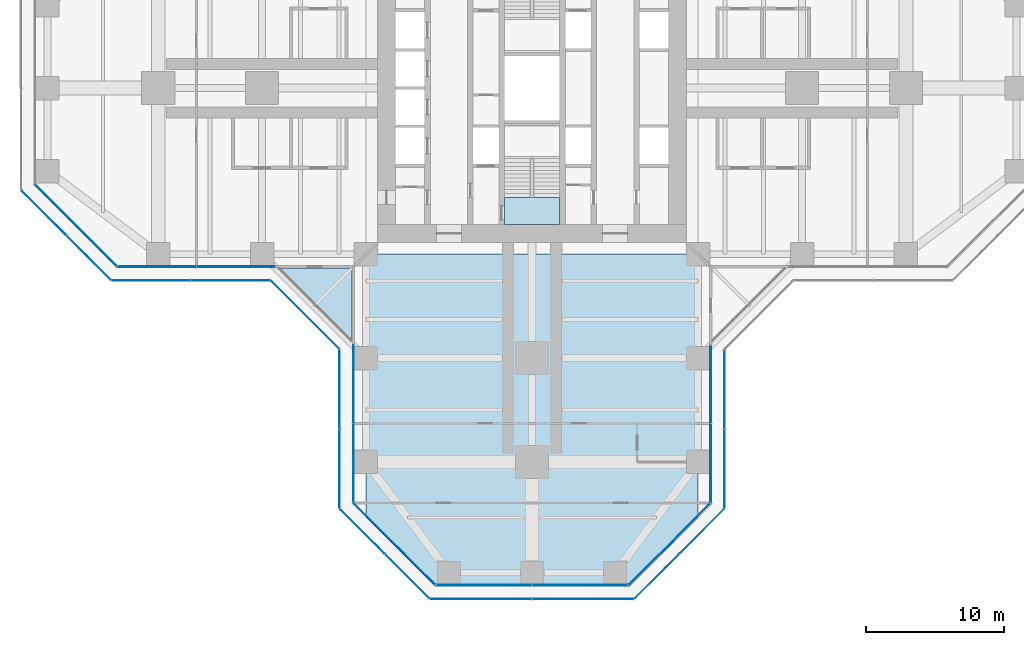
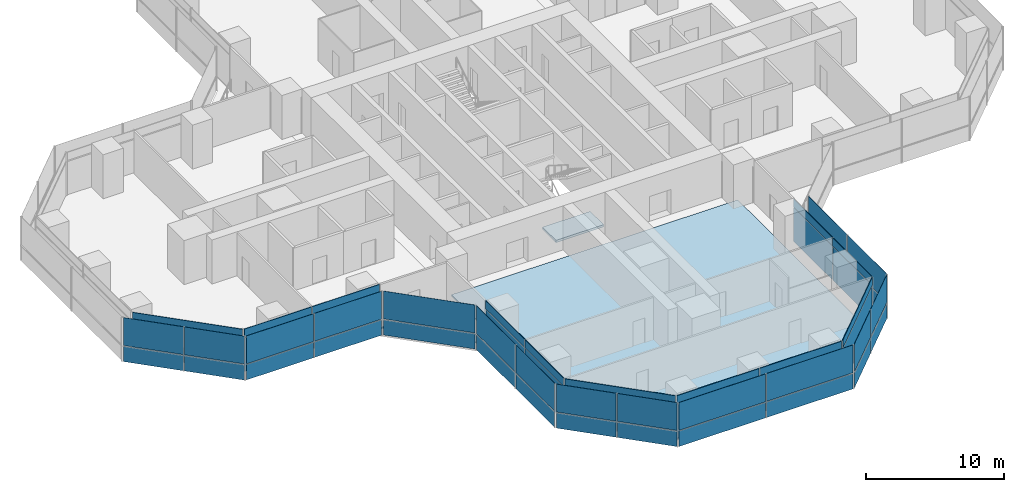
# One storey, part 14 of 22: 52 plates, 3 slabs, 16 elements without a shape of their own.
"""IFC4 building model written with IfcOpenShell, lengths in metres."""

from ifc_helpers import new_model, si_unit, direction, frame, origin, origin_2d, place, context, subcontext, project, spatial, polyline, rectangle, outline, extrude, material, layer, layer_set, type_object, element, aggregate, save


model = new_model("IFC4")

# Units and contexts
model_context = context("Model", 3, precision=1e-05, world=origin(), true_north=direction((0.0, 1.0)))
body_context = subcontext(model_context, "Body", "Model", "MODEL_VIEW")
ifc_project = project(units=[si_unit("LENGTHUNIT", "METRE"), si_unit("AREAUNIT", "SQUARE_METRE"), si_unit("VOLUMEUNIT", "CUBIC_METRE"), si_unit("PLANEANGLEUNIT", "RADIAN"), si_unit("MASSUNIT", "GRAM", prefix="KILO")], contexts=[model_context])

# Site, building, storey
site_placement = place(None, origin())
site = spatial("IfcSite", under=ifc_project, at=site_placement, CompositionType="ELEMENT")
building_placement = place(site_placement, origin())
building = spatial("IfcBuilding", under=site, at=building_placement, Name="Mizan Broadcast Tower", CompositionType="ELEMENT")
storey_placement = place(building_placement, frame((0.0, 0.0, 59.10009765625)))
storey = spatial("IfcBuildingStorey", under=building, at=storey_placement, Name="L11", CompositionType="ELEMENT", Elevation=59.10009765625)

# Slab
ifc_material_1 = material(Name="Concrete C32/40", Category="concrete")
ifc_layer_1 = layer(ifc_material_1, 0.1298828125)
ifc_layer_set_1 = layer_set([ifc_layer_1], Name="Concrete C32/40")
slab_type_1 = type_object("IfcSlabType", Name="COMPOSITE DECK SLAB 130", PredefinedType="FLOOR", material=ifc_layer_set_1)
slab_1_placement = place(storey_placement, frame((0.0, 0.0, -0.130126953125)))
element("IfcSlab", 1, at=slab_1_placement, inside=storey, type_object=slab_type_1, Name="Floor slab L11 south arm", PredefinedType="FLOOR", context=body_context, shape_type="SweptSolid", body=[
    extrude(outline(polyline([(7.0, -36.0), (12.0, -31.0), (12.0, -12.0), (-12.0, -12.0), (-12.0, -31.0), (-7.0, -36.0), (7.0, -36.0)])), origin(), (0.0, 0.0, 1.0), 0.130126953125),
])

# Curtain wall, plate
ifc_material_2 = material(Name="Aluminium framed glazing", Category="aluminium")
curtain_wall_type_1 = type_object("IfcCurtainWallType", Name="INNER SKIN LOW ZONE", PredefinedType="USERDEFINED", material=ifc_material_2)
curtain_wall_1_placement = place(storey_placement, origin())
curtain_wall_1 = element("IfcCurtainWall", 2, at=curtain_wall_1_placement, inside=storey, type_object=curtain_wall_type_1, Name="Inner skin low zone L11 W chamfer", ObjectType="INNER SKIN LOW ZONE", PredefinedType="USERDEFINED")
ifc_material_3 = material(Name="Double glazing, clear low-e", Category="glass")
ifc_layer_2 = layer(ifc_material_3, 0.028076171875)
ifc_layer_set_2 = layer_set([ifc_layer_2], Name="Double glazing, clear low-e")
plate_type_1 = type_object("IfcPlateType", Name="INNER SKIN GLAZING UNIT", PredefinedType="CURTAIN_PANEL", material=ifc_layer_set_2)
plate_1_placement = place(storey_placement, frame((-32.92919921875, -9.92919921875, 0.0), z_axis=(0.0, 0.0, 1.0), x_axis=(0.707106781187, -0.707106781187, 0.0)))
plate_1 = element("IfcPlate", 3, at=plate_1_placement, type_object=plate_type_1, Name="Inner skin low zone L11 W chamfer panel 1.1", PredefinedType="CURTAIN_PANEL", context=body_context, shape_type="SweptSolid", body=[
    extrude(rectangle(XDim=8.282470703125, YDim=0.028076171875, at=origin_2d()), origin(), (0.0, 0.0, 1.0), 3.0),
])

# Curtain wall, plates
curtain_wall_2_placement = place(storey_placement, origin())
curtain_wall_2 = element("IfcCurtainWall", 4, at=curtain_wall_2_placement, inside=storey, type_object=curtain_wall_type_1, Name="Inner skin low zone L11 W side", ObjectType="INNER SKIN LOW ZONE", PredefinedType="USERDEFINED")
plate_2_placement = place(storey_placement, frame((-27.078857421875, -12.89990234375, 0.0), z_axis=(0.0, 0.0, 1.0), x_axis=(1.0, 0.0, 0.0)))
plate_2 = element("IfcPlate", 5, at=plate_2_placement, type_object=plate_type_1, Name="Inner skin low zone L11 W side panel 1.1", PredefinedType="CURTAIN_PANEL", context=body_context, shape_type="SweptSolid", body=[
    extrude(rectangle(XDim=5.639404296875, YDim=0.028076171875, at=origin_2d()), origin(), (0.0, 0.0, 1.0), 3.0),
])
plate_3_placement = place(storey_placement, frame((-21.379638671875, -12.89990234375, 0.0), z_axis=(0.0, 0.0, 1.0), x_axis=(1.0, 0.0, 0.0)))
plate_3 = element("IfcPlate", 6, at=plate_3_placement, type_object=plate_type_1, Name="Inner skin low zone L11 W side panel 2.1", PredefinedType="CURTAIN_PANEL", context=body_context, shape_type="SweptSolid", body=[
    extrude(rectangle(XDim=5.639404296875, YDim=0.028076171875, at=origin_2d()), origin(), (0.0, 0.0, 1.0), 3.0),
])

curtain_wall_3_placement = place(storey_placement, origin())
curtain_wall_3 = element("IfcCurtainWall", 7, at=curtain_wall_3_placement, inside=storey, type_object=curtain_wall_type_1, Name="Inner skin low zone L11 S side", ObjectType="INNER SKIN LOW ZONE", PredefinedType="USERDEFINED")
plate_4_placement = place(storey_placement, frame((-12.89990234375, -21.379638671875, 0.0), z_axis=(0.0, 0.0, 1.0), x_axis=(0.0, -1.0, 0.0)))
plate_4 = element("IfcPlate", 8, at=plate_4_placement, type_object=plate_type_1, Name="Inner skin low zone L11 S side panel 1.1", PredefinedType="CURTAIN_PANEL", context=body_context, shape_type="SweptSolid", body=[
    extrude(rectangle(XDim=5.639404296875, YDim=0.028076171875, at=origin_2d()), origin(), (0.0, 0.0, 1.0), 3.0),
])
plate_5_placement = place(storey_placement, frame((-12.89990234375, -27.078857421875, 0.0), z_axis=(0.0, 0.0, 1.0), x_axis=(0.0, -1.0, 0.0)))
plate_5 = element("IfcPlate", 9, at=plate_5_placement, type_object=plate_type_1, Name="Inner skin low zone L11 S side panel 2.1", PredefinedType="CURTAIN_PANEL", context=body_context, shape_type="SweptSolid", body=[
    extrude(rectangle(XDim=5.639404296875, YDim=0.028076171875, at=origin_2d()), origin(), (0.0, 0.0, 1.0), 3.0),
])

# Curtain wall, plate
curtain_wall_4_placement = place(storey_placement, origin())
curtain_wall_4 = element("IfcCurtainWall", 10, at=curtain_wall_4_placement, inside=storey, type_object=curtain_wall_type_1, Name="Inner skin low zone L11 S chamfer", ObjectType="INNER SKIN LOW ZONE", PredefinedType="USERDEFINED")
plate_6_placement = place(storey_placement, frame((-9.92919921875, -32.92919921875, 0.0), z_axis=(0.0, 0.0, 1.0), x_axis=(0.707106781187, -0.707106781187, 0.0)))
plate_6 = element("IfcPlate", 11, at=plate_6_placement, type_object=plate_type_1, Name="Inner skin low zone L11 S chamfer panel 1.1", PredefinedType="CURTAIN_PANEL", context=body_context, shape_type="SweptSolid", body=[
    extrude(rectangle(XDim=8.282470703125, YDim=0.028076171875, at=origin_2d()), origin(), (0.0, 0.0, 1.0), 3.0),
])

# Curtain wall, plates
curtain_wall_5_placement = place(storey_placement, origin())
curtain_wall_5 = element("IfcCurtainWall", 12, at=curtain_wall_5_placement, inside=storey, type_object=curtain_wall_type_1, Name="Inner skin low zone L11 S end", ObjectType="INNER SKIN LOW ZONE", PredefinedType="USERDEFINED")
plate_7_placement = place(storey_placement, frame((-3.46435546875, -35.89990234375, 0.0), z_axis=(0.0, 0.0, 1.0), x_axis=(1.0, 0.0, 0.0)))
plate_7 = element("IfcPlate", 13, at=plate_7_placement, type_object=plate_type_1, Name="Inner skin low zone L11 S end panel 1.1", PredefinedType="CURTAIN_PANEL", context=body_context, shape_type="SweptSolid", body=[
    extrude(rectangle(XDim=6.86865234375, YDim=0.028076171875, at=origin_2d()), origin(), (0.0, 0.0, 1.0), 3.0),
])
plate_8_placement = place(storey_placement, frame((3.46435546875, -35.89990234375, 0.0), z_axis=(0.0, 0.0, 1.0), x_axis=(1.0, 0.0, 0.0)))
plate_8 = element("IfcPlate", 14, at=plate_8_placement, type_object=plate_type_1, Name="Inner skin low zone L11 S end panel 2.1", PredefinedType="CURTAIN_PANEL", context=body_context, shape_type="SweptSolid", body=[
    extrude(rectangle(XDim=6.86865234375, YDim=0.028076171875, at=origin_2d()), origin(), (0.0, 0.0, 1.0), 3.0),
])

# Curtain wall, plate
curtain_wall_6_placement = place(storey_placement, origin())
curtain_wall_6 = element("IfcCurtainWall", 15, at=curtain_wall_6_placement, inside=storey, type_object=curtain_wall_type_1, Name="Inner skin low zone L11 S chamfer", ObjectType="INNER SKIN LOW ZONE", PredefinedType="USERDEFINED")
plate_9_placement = place(storey_placement, frame((9.92919921875, -32.92919921875, 0.0), z_axis=(0.0, 0.0, 1.0), x_axis=(0.707106781187, 0.707106781187, 0.0)))
plate_9 = element("IfcPlate", 16, at=plate_9_placement, type_object=plate_type_1, Name="Inner skin low zone L11 S chamfer panel 1.1", PredefinedType="CURTAIN_PANEL", context=body_context, shape_type="SweptSolid", body=[
    extrude(rectangle(XDim=8.282470703125, YDim=0.028076171875, at=origin_2d()), origin(), (0.0, 0.0, 1.0), 3.0),
])

# Curtain wall, plates
curtain_wall_7_placement = place(storey_placement, origin())
curtain_wall_7 = element("IfcCurtainWall", 17, at=curtain_wall_7_placement, inside=storey, type_object=curtain_wall_type_1, Name="Inner skin low zone L11 S side", ObjectType="INNER SKIN LOW ZONE", PredefinedType="USERDEFINED")
plate_10_placement = place(storey_placement, frame((12.89990234375, -27.078857421875, 0.0), z_axis=(0.0, 0.0, 1.0), x_axis=(0.0, 1.0, 0.0)))
plate_10 = element("IfcPlate", 18, at=plate_10_placement, type_object=plate_type_1, Name="Inner skin low zone L11 S side panel 1.1", PredefinedType="CURTAIN_PANEL", context=body_context, shape_type="SweptSolid", body=[
    extrude(rectangle(XDim=5.639404296875, YDim=0.028076171875, at=origin_2d()), origin(), (0.0, 0.0, 1.0), 3.0),
])
plate_11_placement = place(storey_placement, frame((12.89990234375, -21.379638671875, 0.0), z_axis=(0.0, 0.0, 1.0), x_axis=(0.0, 1.0, 0.0)))
plate_11 = element("IfcPlate", 19, at=plate_11_placement, type_object=plate_type_1, Name="Inner skin low zone L11 S side panel 2.1", PredefinedType="CURTAIN_PANEL", context=body_context, shape_type="SweptSolid", body=[
    extrude(rectangle(XDim=5.639404296875, YDim=0.028076171875, at=origin_2d()), origin(), (0.0, 0.0, 1.0), 3.0),
])

# Plate
ifc_material_4 = material(Name="Insulated aluminium spandrel panel, pale anodised", Category="aluminium")
ifc_layer_3 = layer(ifc_material_4, 0.050048828125)
ifc_layer_set_3 = layer_set([ifc_layer_3], Name="Insulated aluminium spandrel panel, pale anodised")
plate_type_2 = type_object("IfcPlateType", Name="INNER SKIN SPANDREL PANEL", PredefinedType="CURTAIN_PANEL", material=ifc_layer_set_3)
plate_12_placement = place(storey_placement, frame((-32.92919921875, -9.92919921875, 3.059814453125), z_axis=(0.0, 0.0, 1.0), x_axis=(0.707106781187, -0.707106781187, 0.0)))
plate_12 = element("IfcPlate", 20, at=plate_12_placement, type_object=plate_type_2, Name="Inner skin low zone L11 W chamfer panel 1.2", PredefinedType="CURTAIN_PANEL", context=body_context, shape_type="SweptSolid", body=[
    extrude(rectangle(XDim=8.282470703125, YDim=0.050048828125, at=origin_2d()), origin(), (0.0, 0.0, 1.0), 0.7099609375),
])

aggregate(curtain_wall_1, [plate_1, plate_12])

plate_13_placement = place(storey_placement, frame((-27.078857421875, -12.89990234375, 3.059814453125), z_axis=(0.0, 0.0, 1.0), x_axis=(1.0, 0.0, 0.0)))
plate_13 = element("IfcPlate", 21, at=plate_13_placement, type_object=plate_type_2, Name="Inner skin low zone L11 W side panel 1.2", PredefinedType="CURTAIN_PANEL", context=body_context, shape_type="SweptSolid", body=[
    extrude(rectangle(XDim=5.639404296875, YDim=0.050048828125, at=origin_2d()), origin(), (0.0, 0.0, 1.0), 0.7099609375),
])

plate_14_placement = place(storey_placement, frame((-21.379638671875, -12.89990234375, 3.059814453125), z_axis=(0.0, 0.0, 1.0), x_axis=(1.0, 0.0, 0.0)))
plate_14 = element("IfcPlate", 22, at=plate_14_placement, type_object=plate_type_2, Name="Inner skin low zone L11 W side panel 2.2", PredefinedType="CURTAIN_PANEL", context=body_context, shape_type="SweptSolid", body=[
    extrude(rectangle(XDim=5.639404296875, YDim=0.050048828125, at=origin_2d()), origin(), (0.0, 0.0, 1.0), 0.7099609375),
])

aggregate(curtain_wall_2, [plate_2, plate_13, plate_3, plate_14])

plate_15_placement = place(storey_placement, frame((-12.89990234375, -21.379638671875, 3.059814453125), z_axis=(0.0, 0.0, 1.0), x_axis=(0.0, -1.0, 0.0)))
plate_15 = element("IfcPlate", 23, at=plate_15_placement, type_object=plate_type_2, Name="Inner skin low zone L11 S side panel 1.2", PredefinedType="CURTAIN_PANEL", context=body_context, shape_type="SweptSolid", body=[
    extrude(rectangle(XDim=5.639404296875, YDim=0.050048828125, at=origin_2d()), origin(), (0.0, 0.0, 1.0), 0.7099609375),
])

plate_16_placement = place(storey_placement, frame((-12.89990234375, -27.078857421875, 3.059814453125), z_axis=(0.0, 0.0, 1.0), x_axis=(0.0, -1.0, 0.0)))
plate_16 = element("IfcPlate", 24, at=plate_16_placement, type_object=plate_type_2, Name="Inner skin low zone L11 S side panel 2.2", PredefinedType="CURTAIN_PANEL", context=body_context, shape_type="SweptSolid", body=[
    extrude(rectangle(XDim=5.639404296875, YDim=0.050048828125, at=origin_2d()), origin(), (0.0, 0.0, 1.0), 0.7099609375),
])

aggregate(curtain_wall_3, [plate_4, plate_15, plate_5, plate_16])

plate_17_placement = place(storey_placement, frame((-9.92919921875, -32.92919921875, 3.059814453125), z_axis=(0.0, 0.0, 1.0), x_axis=(0.707106781187, -0.707106781187, 0.0)))
plate_17 = element("IfcPlate", 25, at=plate_17_placement, type_object=plate_type_2, Name="Inner skin low zone L11 S chamfer panel 1.2", PredefinedType="CURTAIN_PANEL", context=body_context, shape_type="SweptSolid", body=[
    extrude(rectangle(XDim=8.282470703125, YDim=0.050048828125, at=origin_2d()), origin(), (0.0, 0.0, 1.0), 0.7099609375),
])

aggregate(curtain_wall_4, [plate_6, plate_17])

plate_18_placement = place(storey_placement, frame((-3.46435546875, -35.89990234375, 3.059814453125), z_axis=(0.0, 0.0, 1.0), x_axis=(1.0, 0.0, 0.0)))
plate_18 = element("IfcPlate", 26, at=plate_18_placement, type_object=plate_type_2, Name="Inner skin low zone L11 S end panel 1.2", PredefinedType="CURTAIN_PANEL", context=body_context, shape_type="SweptSolid", body=[
    extrude(rectangle(XDim=6.86865234375, YDim=0.050048828125, at=origin_2d()), origin(), (0.0, 0.0, 1.0), 0.7099609375),
])

plate_19_placement = place(storey_placement, frame((3.46435546875, -35.89990234375, 3.059814453125), z_axis=(0.0, 0.0, 1.0), x_axis=(1.0, 0.0, 0.0)))
plate_19 = element("IfcPlate", 27, at=plate_19_placement, type_object=plate_type_2, Name="Inner skin low zone L11 S end panel 2.2", PredefinedType="CURTAIN_PANEL", context=body_context, shape_type="SweptSolid", body=[
    extrude(rectangle(XDim=6.86865234375, YDim=0.050048828125, at=origin_2d()), origin(), (0.0, 0.0, 1.0), 0.7099609375),
])

aggregate(curtain_wall_5, [plate_7, plate_18, plate_8, plate_19])

plate_20_placement = place(storey_placement, frame((9.92919921875, -32.92919921875, 3.059814453125), z_axis=(0.0, 0.0, 1.0), x_axis=(0.707106781187, 0.707106781187, 0.0)))
plate_20 = element("IfcPlate", 28, at=plate_20_placement, type_object=plate_type_2, Name="Inner skin low zone L11 S chamfer panel 1.2", PredefinedType="CURTAIN_PANEL", context=body_context, shape_type="SweptSolid", body=[
    extrude(rectangle(XDim=8.282470703125, YDim=0.050048828125, at=origin_2d()), origin(), (0.0, 0.0, 1.0), 0.7099609375),
])

aggregate(curtain_wall_6, [plate_9, plate_20])

plate_21_placement = place(storey_placement, frame((12.89990234375, -27.078857421875, 3.059814453125), z_axis=(0.0, 0.0, 1.0), x_axis=(0.0, 1.0, 0.0)))
plate_21 = element("IfcPlate", 29, at=plate_21_placement, type_object=plate_type_2, Name="Inner skin low zone L11 S side panel 1.2", PredefinedType="CURTAIN_PANEL", context=body_context, shape_type="SweptSolid", body=[
    extrude(rectangle(XDim=5.639404296875, YDim=0.050048828125, at=origin_2d()), origin(), (0.0, 0.0, 1.0), 0.7099609375),
])

plate_22_placement = place(storey_placement, frame((12.89990234375, -21.379638671875, 3.059814453125), z_axis=(0.0, 0.0, 1.0), x_axis=(0.0, 1.0, 0.0)))
plate_22 = element("IfcPlate", 30, at=plate_22_placement, type_object=plate_type_2, Name="Inner skin low zone L11 S side panel 2.2", PredefinedType="CURTAIN_PANEL", context=body_context, shape_type="SweptSolid", body=[
    extrude(rectangle(XDim=5.639404296875, YDim=0.050048828125, at=origin_2d()), origin(), (0.0, 0.0, 1.0), 0.7099609375),
])

aggregate(curtain_wall_7, [plate_10, plate_21, plate_11, plate_22])

# Curtain wall, plates
ifc_material_5 = material(Name="Aluminium framed glazing", Category="aluminium")
curtain_wall_type_2 = type_object("IfcCurtainWallType", Name="OUTER SKIN", PredefinedType="USERDEFINED", material=ifc_material_5)
curtain_wall_8_placement = place(storey_placement, origin())
curtain_wall_8 = element("IfcCurtainWall", 31, at=curtain_wall_8_placement, inside=storey, type_object=curtain_wall_type_2, Name="Outer skin L11 W chamfer", ObjectType="OUTER SKIN", PredefinedType="USERDEFINED")
ifc_material_6 = material(Name="Laminated clear glass", Category="glass")
ifc_layer_4 = layer(ifc_material_6, 0.02001953125)
ifc_layer_set_4 = layer_set([ifc_layer_4], Name="Laminated clear glass")
plate_type_3 = type_object("IfcPlateType", Name="OUTER SKIN CLEAR GLASS", PredefinedType="CURTAIN_PANEL", material=ifc_layer_set_4)
plate_23_placement = place(storey_placement, frame((-35.254150390625, -9.018798828125, -0.000244140625), z_axis=(0.0, 0.0, 1.0), x_axis=(0.707106781187, -0.707106781187, 0.0)))
plate_23 = element("IfcPlate", 32, at=plate_23_placement, type_object=plate_type_3, Name="Outer skin L11 W chamfer panel 1.1", PredefinedType="CURTAIN_PANEL", context=body_context, shape_type="SweptSolid", body=[
    extrude(rectangle(XDim=4.495361328125, YDim=0.02001953125, at=origin_2d()), origin(), (0.0, 0.0, 1.0), 1.3701171875),
])
plate_24_placement = place(storey_placement, frame((-35.254150390625, -9.018798828125, 1.4296875), z_axis=(0.0, 0.0, 1.0), x_axis=(0.707106781187, -0.707106781187, 0.0)))
plate_24 = element("IfcPlate", 33, at=plate_24_placement, type_object=plate_type_3, Name="Outer skin L11 W chamfer panel 1.2", PredefinedType="CURTAIN_PANEL", context=body_context, shape_type="SweptSolid", body=[
    extrude(rectangle(XDim=4.495361328125, YDim=0.02001953125, at=origin_2d()), origin(), (0.0, 0.0, 1.0), 2.469970703125),
])

curtain_wall_9_placement = place(storey_placement, origin())
curtain_wall_9 = element("IfcCurtainWall", 34, at=curtain_wall_9_placement, inside=storey, type_object=curtain_wall_type_2, Name="Outer skin L11 W side", ObjectType="OUTER SKIN", PredefinedType="USERDEFINED")
plate_25_placement = place(storey_placement, frame((-27.477783203125, -13.89990234375, -0.000244140625), z_axis=(0.0, 0.0, 1.0), x_axis=(1.0, 0.0, 0.0)))
plate_25 = element("IfcPlate", 35, at=plate_25_placement, type_object=plate_type_3, Name="Outer skin L11 W side panel 1.1", PredefinedType="CURTAIN_PANEL", context=body_context, shape_type="SweptSolid", body=[
    extrude(rectangle(XDim=5.6298828125, YDim=0.02001953125, at=origin_2d()), origin(), (0.0, 0.0, 1.0), 1.3701171875),
])
plate_26_placement = place(storey_placement, frame((-27.477783203125, -13.89990234375, 1.4296875), z_axis=(0.0, 0.0, 1.0), x_axis=(1.0, 0.0, 0.0)))
plate_26 = element("IfcPlate", 36, at=plate_26_placement, type_object=plate_type_3, Name="Outer skin L11 W side panel 1.2", PredefinedType="CURTAIN_PANEL", context=body_context, shape_type="SweptSolid", body=[
    extrude(rectangle(XDim=5.6298828125, YDim=0.02001953125, at=origin_2d()), origin(), (0.0, 0.0, 1.0), 2.469970703125),
])

curtain_wall_10_placement = place(storey_placement, origin())
curtain_wall_10 = element("IfcCurtainWall", 37, at=curtain_wall_10_placement, inside=storey, type_object=curtain_wall_type_2, Name="Outer skin L11 W chamfer", ObjectType="OUTER SKIN", PredefinedType="USERDEFINED")
plate_27_placement = place(storey_placement, frame((-16.386474609375, -16.386474609375, -0.000244140625), z_axis=(0.0, 0.0, 1.0), x_axis=(0.707106781187, -0.707106781187, 0.0)))
plate_27 = element("IfcPlate", 38, at=plate_27_placement, type_object=plate_type_3, Name="Outer skin L11 W chamfer panel 1.1", PredefinedType="CURTAIN_PANEL", context=body_context, shape_type="SweptSolid", body=[
    extrude(rectangle(XDim=6.87255859375, YDim=0.02001953125, at=origin_2d()), origin(), (0.0, 0.0, 1.0), 1.3701171875),
])
plate_28_placement = place(storey_placement, frame((-16.386474609375, -16.386474609375, 1.4296875), z_axis=(0.0, 0.0, 1.0), x_axis=(0.707106781187, -0.707106781187, 0.0)))
plate_28 = element("IfcPlate", 39, at=plate_28_placement, type_object=plate_type_3, Name="Outer skin L11 W chamfer panel 1.2", PredefinedType="CURTAIN_PANEL", context=body_context, shape_type="SweptSolid", body=[
    extrude(rectangle(XDim=6.87255859375, YDim=0.02001953125, at=origin_2d()), origin(), (0.0, 0.0, 1.0), 2.469970703125),
])
aggregate(curtain_wall_10, [plate_27, plate_28])

curtain_wall_11_placement = place(storey_placement, origin())
curtain_wall_11 = element("IfcCurtainWall", 40, at=curtain_wall_11_placement, inside=storey, type_object=curtain_wall_type_2, Name="Outer skin L11 S side", ObjectType="OUTER SKIN", PredefinedType="USERDEFINED")
plate_29_placement = place(storey_placement, frame((-13.89990234375, -21.767822265625, -0.000244140625), z_axis=(0.0, 0.0, 1.0), x_axis=(0.0, -1.0, 0.0)))
plate_29 = element("IfcPlate", 41, at=plate_29_placement, type_object=plate_type_3, Name="Outer skin L11 S side panel 1.1", PredefinedType="CURTAIN_PANEL", context=body_context, shape_type="SweptSolid", body=[
    extrude(rectangle(XDim=5.6298828125, YDim=0.02001953125, at=origin_2d()), origin(), (0.0, 0.0, 1.0), 1.3701171875),
])
plate_30_placement = place(storey_placement, frame((-13.89990234375, -21.767822265625, 1.4296875), z_axis=(0.0, 0.0, 1.0), x_axis=(0.0, -1.0, 0.0)))
plate_30 = element("IfcPlate", 42, at=plate_30_placement, type_object=plate_type_3, Name="Outer skin L11 S side panel 1.2", PredefinedType="CURTAIN_PANEL", context=body_context, shape_type="SweptSolid", body=[
    extrude(rectangle(XDim=5.6298828125, YDim=0.02001953125, at=origin_2d()), origin(), (0.0, 0.0, 1.0), 2.469970703125),
])

curtain_wall_12_placement = place(storey_placement, origin())
curtain_wall_12 = element("IfcCurtainWall", 43, at=curtain_wall_12_placement, inside=storey, type_object=curtain_wall_type_2, Name="Outer skin L11 S chamfer", ObjectType="OUTER SKIN", PredefinedType="USERDEFINED")
plate_31_placement = place(storey_placement, frame((-12.254150390625, -32.018798828125, -0.000244140625), z_axis=(0.0, 0.0, 1.0), x_axis=(0.707106781187, -0.707106781187, 0.0)))
plate_31 = element("IfcPlate", 44, at=plate_31_placement, type_object=plate_type_3, Name="Outer skin L11 S chamfer panel 1.1", PredefinedType="CURTAIN_PANEL", context=body_context, shape_type="SweptSolid", body=[
    extrude(rectangle(XDim=4.495361328125, YDim=0.02001953125, at=origin_2d()), origin(), (0.0, 0.0, 1.0), 1.3701171875),
])
plate_32_placement = place(storey_placement, frame((-12.254150390625, -32.018798828125, 1.4296875), z_axis=(0.0, 0.0, 1.0), x_axis=(0.707106781187, -0.707106781187, 0.0)))
plate_32 = element("IfcPlate", 45, at=plate_32_placement, type_object=plate_type_3, Name="Outer skin L11 S chamfer panel 1.2", PredefinedType="CURTAIN_PANEL", context=body_context, shape_type="SweptSolid", body=[
    extrude(rectangle(XDim=4.495361328125, YDim=0.02001953125, at=origin_2d()), origin(), (0.0, 0.0, 1.0), 2.469970703125),
])

curtain_wall_13_placement = place(storey_placement, origin())
curtain_wall_13 = element("IfcCurtainWall", 46, at=curtain_wall_13_placement, inside=storey, type_object=curtain_wall_type_2, Name="Outer skin L11 S end", ObjectType="OUTER SKIN", PredefinedType="USERDEFINED")
plate_33_placement = place(storey_placement, frame((-3.66650390625, -36.89990234375, -0.000244140625), z_axis=(0.0, 0.0, 1.0), x_axis=(1.0, 0.0, 0.0)))
plate_33 = element("IfcPlate", 47, at=plate_33_placement, type_object=plate_type_3, Name="Outer skin L11 S end panel 1.1", PredefinedType="CURTAIN_PANEL", context=body_context, shape_type="SweptSolid", body=[
    extrude(rectangle(XDim=7.252685546875, YDim=0.02001953125, at=origin_2d()), origin(), (0.0, 0.0, 1.0), 1.3701171875),
])
plate_34_placement = place(storey_placement, frame((-3.66650390625, -36.89990234375, 1.4296875), z_axis=(0.0, 0.0, 1.0), x_axis=(1.0, 0.0, 0.0)))
plate_34 = element("IfcPlate", 48, at=plate_34_placement, type_object=plate_type_3, Name="Outer skin L11 S end panel 1.2", PredefinedType="CURTAIN_PANEL", context=body_context, shape_type="SweptSolid", body=[
    extrude(rectangle(XDim=7.252685546875, YDim=0.02001953125, at=origin_2d()), origin(), (0.0, 0.0, 1.0), 2.469970703125),
])

curtain_wall_14_placement = place(storey_placement, origin())
curtain_wall_14 = element("IfcCurtainWall", 49, at=curtain_wall_14_placement, inside=storey, type_object=curtain_wall_type_2, Name="Outer skin L11 S chamfer", ObjectType="OUTER SKIN", PredefinedType="USERDEFINED")
plate_35_placement = place(storey_placement, frame((9.018798828125, -35.254150390625, -0.000244140625), z_axis=(0.0, 0.0, 1.0), x_axis=(0.707106781187, 0.707106781187, 0.0)))
plate_35 = element("IfcPlate", 50, at=plate_35_placement, type_object=plate_type_3, Name="Outer skin L11 S chamfer panel 1.1", PredefinedType="CURTAIN_PANEL", context=body_context, shape_type="SweptSolid", body=[
    extrude(rectangle(XDim=4.495361328125, YDim=0.02001953125, at=origin_2d()), origin(), (0.0, 0.0, 1.0), 1.3701171875),
])
plate_36_placement = place(storey_placement, frame((9.018798828125, -35.254150390625, 1.4296875), z_axis=(0.0, 0.0, 1.0), x_axis=(0.707106781187, 0.707106781187, 0.0)))
plate_36 = element("IfcPlate", 51, at=plate_36_placement, type_object=plate_type_3, Name="Outer skin L11 S chamfer panel 1.2", PredefinedType="CURTAIN_PANEL", context=body_context, shape_type="SweptSolid", body=[
    extrude(rectangle(XDim=4.495361328125, YDim=0.02001953125, at=origin_2d()), origin(), (0.0, 0.0, 1.0), 2.469970703125),
])

curtain_wall_15_placement = place(storey_placement, origin())
curtain_wall_15 = element("IfcCurtainWall", 52, at=curtain_wall_15_placement, inside=storey, type_object=curtain_wall_type_2, Name="Outer skin L11 S side", ObjectType="OUTER SKIN", PredefinedType="USERDEFINED")
plate_37_placement = place(storey_placement, frame((13.89990234375, -27.477783203125, -0.000244140625), z_axis=(0.0, 0.0, 1.0), x_axis=(0.0, 1.0, 0.0)))
plate_37 = element("IfcPlate", 53, at=plate_37_placement, type_object=plate_type_3, Name="Outer skin L11 S side panel 1.1", PredefinedType="CURTAIN_PANEL", context=body_context, shape_type="SweptSolid", body=[
    extrude(rectangle(XDim=5.6298828125, YDim=0.02001953125, at=origin_2d()), origin(), (0.0, 0.0, 1.0), 1.3701171875),
])
plate_38_placement = place(storey_placement, frame((13.89990234375, -27.477783203125, 1.4296875), z_axis=(0.0, 0.0, 1.0), x_axis=(0.0, 1.0, 0.0)))
plate_38 = element("IfcPlate", 54, at=plate_38_placement, type_object=plate_type_3, Name="Outer skin L11 S side panel 1.2", PredefinedType="CURTAIN_PANEL", context=body_context, shape_type="SweptSolid", body=[
    extrude(rectangle(XDim=5.6298828125, YDim=0.02001953125, at=origin_2d()), origin(), (0.0, 0.0, 1.0), 2.469970703125),
])

# Plate
ifc_material_7 = material(Name="Perforated aluminium, pale anodised", Category="aluminium")
ifc_layer_5 = layer(ifc_material_7, 0.011962890625)
ifc_layer_set_5 = layer_set([ifc_layer_5], Name="Perforated aluminium, pale anodised")
plate_type_4 = type_object("IfcPlateType", Name="OUTER SKIN PERFORATED SCREEN", PredefinedType="USERDEFINED", material=ifc_layer_set_5)
plate_39_placement = place(storey_placement, frame((-32.018798828125, -12.254150390625, -0.000244140625), z_axis=(0.0, 0.0, 1.0), x_axis=(0.707106781187, -0.707106781187, 0.0)))
plate_39 = element("IfcPlate", 55, at=plate_39_placement, type_object=plate_type_4, Name="Outer skin L11 W chamfer panel 2.1", ObjectType="SCREEN", PredefinedType="USERDEFINED", context=body_context, shape_type="SweptSolid", body=[
    extrude(rectangle(XDim=4.495361328125, YDim=0.011962890625, at=origin_2d()), origin(), (0.0, 0.0, 1.0), 1.3701171875),
])

plate_40_placement = place(storey_placement, frame((-32.018798828125, -12.254150390625, 1.4296875), z_axis=(0.0, 0.0, 1.0), x_axis=(0.707106781187, -0.707106781187, 0.0)))
plate_40 = element("IfcPlate", 56, at=plate_40_placement, type_object=plate_type_4, Name="Outer skin L11 W chamfer panel 2.2", ObjectType="SCREEN", PredefinedType="USERDEFINED", context=body_context, shape_type="SweptSolid", body=[
    extrude(rectangle(XDim=4.495361328125, YDim=0.011962890625, at=origin_2d()), origin(), (0.0, 0.0, 1.0), 2.469970703125),
])

aggregate(curtain_wall_8, [plate_23, plate_24, plate_39, plate_40])

plate_41_placement = place(storey_placement, frame((-21.767822265625, -13.89990234375, -0.000244140625), z_axis=(0.0, 0.0, 1.0), x_axis=(1.0, 0.0, 0.0)))
plate_41 = element("IfcPlate", 57, at=plate_41_placement, type_object=plate_type_4, Name="Outer skin L11 W side panel 2.1", ObjectType="SCREEN", PredefinedType="USERDEFINED", context=body_context, shape_type="SweptSolid", body=[
    extrude(rectangle(XDim=5.6298828125, YDim=0.011962890625, at=origin_2d()), origin(), (0.0, 0.0, 1.0), 1.3701171875),
])

plate_42_placement = place(storey_placement, frame((-21.767822265625, -13.89990234375, 1.4296875), z_axis=(0.0, 0.0, 1.0), x_axis=(1.0, 0.0, 0.0)))
plate_42 = element("IfcPlate", 58, at=plate_42_placement, type_object=plate_type_4, Name="Outer skin L11 W side panel 2.2", ObjectType="SCREEN", PredefinedType="USERDEFINED", context=body_context, shape_type="SweptSolid", body=[
    extrude(rectangle(XDim=5.6298828125, YDim=0.011962890625, at=origin_2d()), origin(), (0.0, 0.0, 1.0), 2.469970703125),
])

aggregate(curtain_wall_9, [plate_25, plate_26, plate_41, plate_42])

plate_43_placement = place(storey_placement, frame((-13.89990234375, -27.477783203125, -0.000244140625), z_axis=(0.0, 0.0, 1.0), x_axis=(0.0, -1.0, 0.0)))
plate_43 = element("IfcPlate", 59, at=plate_43_placement, type_object=plate_type_4, Name="Outer skin L11 S side panel 2.1", ObjectType="SCREEN", PredefinedType="USERDEFINED", context=body_context, shape_type="SweptSolid", body=[
    extrude(rectangle(XDim=5.6298828125, YDim=0.011962890625, at=origin_2d()), origin(), (0.0, 0.0, 1.0), 1.3701171875),
])

plate_44_placement = place(storey_placement, frame((-13.89990234375, -27.477783203125, 1.4296875), z_axis=(0.0, 0.0, 1.0), x_axis=(0.0, -1.0, 0.0)))
plate_44 = element("IfcPlate", 60, at=plate_44_placement, type_object=plate_type_4, Name="Outer skin L11 S side panel 2.2", ObjectType="SCREEN", PredefinedType="USERDEFINED", context=body_context, shape_type="SweptSolid", body=[
    extrude(rectangle(XDim=5.6298828125, YDim=0.011962890625, at=origin_2d()), origin(), (0.0, 0.0, 1.0), 2.469970703125),
])

aggregate(curtain_wall_11, [plate_29, plate_30, plate_43, plate_44])

plate_45_placement = place(storey_placement, frame((-9.018798828125, -35.254150390625, -0.000244140625), z_axis=(0.0, 0.0, 1.0), x_axis=(0.707106781187, -0.707106781187, 0.0)))
plate_45 = element("IfcPlate", 61, at=plate_45_placement, type_object=plate_type_4, Name="Outer skin L11 S chamfer panel 2.1", ObjectType="SCREEN", PredefinedType="USERDEFINED", context=body_context, shape_type="SweptSolid", body=[
    extrude(rectangle(XDim=4.495361328125, YDim=0.011962890625, at=origin_2d()), origin(), (0.0, 0.0, 1.0), 1.3701171875),
])

plate_46_placement = place(storey_placement, frame((-9.018798828125, -35.254150390625, 1.4296875), z_axis=(0.0, 0.0, 1.0), x_axis=(0.707106781187, -0.707106781187, 0.0)))
plate_46 = element("IfcPlate", 62, at=plate_46_placement, type_object=plate_type_4, Name="Outer skin L11 S chamfer panel 2.2", ObjectType="SCREEN", PredefinedType="USERDEFINED", context=body_context, shape_type="SweptSolid", body=[
    extrude(rectangle(XDim=4.495361328125, YDim=0.011962890625, at=origin_2d()), origin(), (0.0, 0.0, 1.0), 2.469970703125),
])

aggregate(curtain_wall_12, [plate_31, plate_32, plate_45, plate_46])

plate_47_placement = place(storey_placement, frame((3.66650390625, -36.89990234375, -0.000244140625), z_axis=(0.0, 0.0, 1.0), x_axis=(1.0, 0.0, 0.0)))
plate_47 = element("IfcPlate", 63, at=plate_47_placement, type_object=plate_type_4, Name="Outer skin L11 S end panel 2.1", ObjectType="SCREEN", PredefinedType="USERDEFINED", context=body_context, shape_type="SweptSolid", body=[
    extrude(rectangle(XDim=7.252685546875, YDim=0.011962890625, at=origin_2d()), origin(), (0.0, 0.0, 1.0), 1.3701171875),
])

plate_48_placement = place(storey_placement, frame((3.66650390625, -36.89990234375, 1.4296875), z_axis=(0.0, 0.0, 1.0), x_axis=(1.0, 0.0, 0.0)))
plate_48 = element("IfcPlate", 64, at=plate_48_placement, type_object=plate_type_4, Name="Outer skin L11 S end panel 2.2", ObjectType="SCREEN", PredefinedType="USERDEFINED", context=body_context, shape_type="SweptSolid", body=[
    extrude(rectangle(XDim=7.252685546875, YDim=0.011962890625, at=origin_2d()), origin(), (0.0, 0.0, 1.0), 2.469970703125),
])

aggregate(curtain_wall_13, [plate_33, plate_34, plate_47, plate_48])

plate_49_placement = place(storey_placement, frame((12.254150390625, -32.018798828125, -0.000244140625), z_axis=(0.0, 0.0, 1.0), x_axis=(0.707106781187, 0.707106781187, 0.0)))
plate_49 = element("IfcPlate", 65, at=plate_49_placement, type_object=plate_type_4, Name="Outer skin L11 S chamfer panel 2.1", ObjectType="SCREEN", PredefinedType="USERDEFINED", context=body_context, shape_type="SweptSolid", body=[
    extrude(rectangle(XDim=4.495361328125, YDim=0.011962890625, at=origin_2d()), origin(), (0.0, 0.0, 1.0), 1.3701171875),
])

plate_50_placement = place(storey_placement, frame((12.254150390625, -32.018798828125, 1.4296875), z_axis=(0.0, 0.0, 1.0), x_axis=(0.707106781187, 0.707106781187, 0.0)))
plate_50 = element("IfcPlate", 66, at=plate_50_placement, type_object=plate_type_4, Name="Outer skin L11 S chamfer panel 2.2", ObjectType="SCREEN", PredefinedType="USERDEFINED", context=body_context, shape_type="SweptSolid", body=[
    extrude(rectangle(XDim=4.495361328125, YDim=0.011962890625, at=origin_2d()), origin(), (0.0, 0.0, 1.0), 2.469970703125),
])

aggregate(curtain_wall_14, [plate_35, plate_36, plate_49, plate_50])

plate_51_placement = place(storey_placement, frame((13.89990234375, -21.767822265625, -0.000244140625), z_axis=(0.0, 0.0, 1.0), x_axis=(0.0, 1.0, 0.0)))
plate_51 = element("IfcPlate", 67, at=plate_51_placement, type_object=plate_type_4, Name="Outer skin L11 S side panel 2.1", ObjectType="SCREEN", PredefinedType="USERDEFINED", context=body_context, shape_type="SweptSolid", body=[
    extrude(rectangle(XDim=5.6298828125, YDim=0.011962890625, at=origin_2d()), origin(), (0.0, 0.0, 1.0), 1.3701171875),
])

plate_52_placement = place(storey_placement, frame((13.89990234375, -21.767822265625, 1.4296875), z_axis=(0.0, 0.0, 1.0), x_axis=(0.0, 1.0, 0.0)))
plate_52 = element("IfcPlate", 68, at=plate_52_placement, type_object=plate_type_4, Name="Outer skin L11 S side panel 2.2", ObjectType="SCREEN", PredefinedType="USERDEFINED", context=body_context, shape_type="SweptSolid", body=[
    extrude(rectangle(XDim=5.6298828125, YDim=0.011962890625, at=origin_2d()), origin(), (0.0, 0.0, 1.0), 2.469970703125),
])

aggregate(curtain_wall_15, [plate_37, plate_38, plate_51, plate_52])

# Stair, slab
ifc_material_8 = material(Name="Concrete C40/50", Category="concrete")
stair_type = type_object("IfcStairType", Name="EXIT STAIR", PredefinedType="HALF_TURN_STAIR", material=ifc_material_8)
stair_placement = place(storey_placement, origin())
stair = element("IfcStair", 69, at=stair_placement, inside=storey, type_object=stair_type, Name="Stair A L11", PredefinedType="HALF_TURN_STAIR")
ifc_material_9 = material(Name="Concrete C40/50", Category="concrete")
ifc_layer_6 = layer(ifc_material_9, 0.199951171875)
ifc_layer_set_6 = layer_set([ifc_layer_6], Name="Concrete C40/50")
slab_type_2 = type_object("IfcSlabType", Name="STAIR LANDING 200", PredefinedType="LANDING", material=ifc_layer_set_6)
slab_2_placement = place(storey_placement, frame((0.0, 0.0, -0.2001953125)))
slab_2 = element("IfcSlab", 70, at=slab_2_placement, type_object=slab_type_2, Name="A landing 1", PredefinedType="LANDING", context=body_context, shape_type="SweptSolid", body=[
    extrude(outline(polyline([(-2.0, -9.85009765625), (-2.0, -7.89990234375), (2.0, -7.89990234375), (2.0, -9.85009765625), (-2.0, -9.85009765625)])), origin(), (0.0, 0.0, 1.0), 0.2001953125),
])
aggregate(stair, [slab_2])

# Slab
ifc_material_10 = material(Name="Concrete C32/40", Category="concrete")
ifc_layer_7 = layer(ifc_material_10, 0.1298828125)
ifc_layer_set_7 = layer_set([ifc_layer_7], Name="Concrete C32/40")
slab_type_3 = type_object("IfcSlabType", Name="WINTER GARDEN SLAB 130", PredefinedType="FLOOR", material=ifc_layer_set_7)
slab_3_placement = place(storey_placement, frame((0.0, 0.0, -0.130126953125)))
element("IfcSlab", 71, at=slab_3_placement, inside=storey, type_object=slab_type_3, Name="Winter garden slab L11 W", PredefinedType="FLOOR", context=body_context, shape_type="SweptSolid", body=[
    extrude(outline(polyline([(-13.0, -13.0), (-18.5, -13.0), (-13.0, -18.5), (-13.0, -13.0)])), origin(), (0.0, 0.0, 1.0), 0.130126953125),
])

save(model, "model.ifc")
